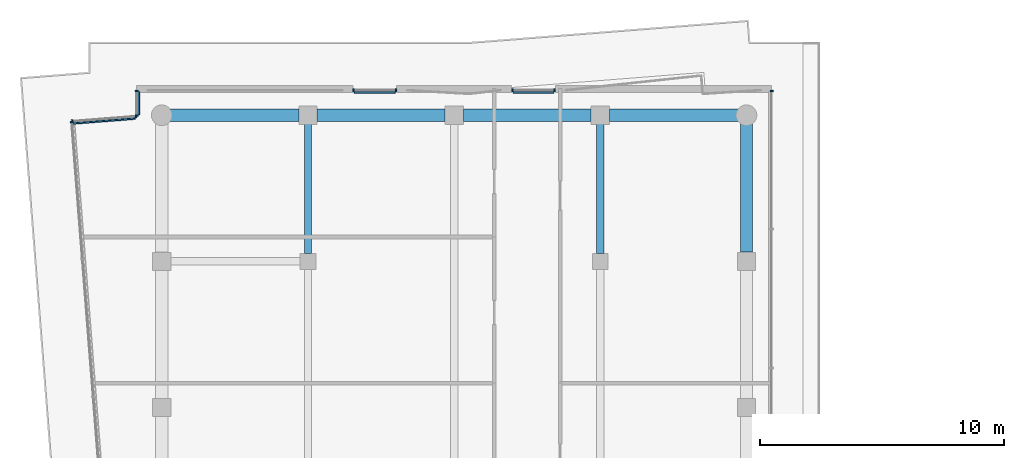
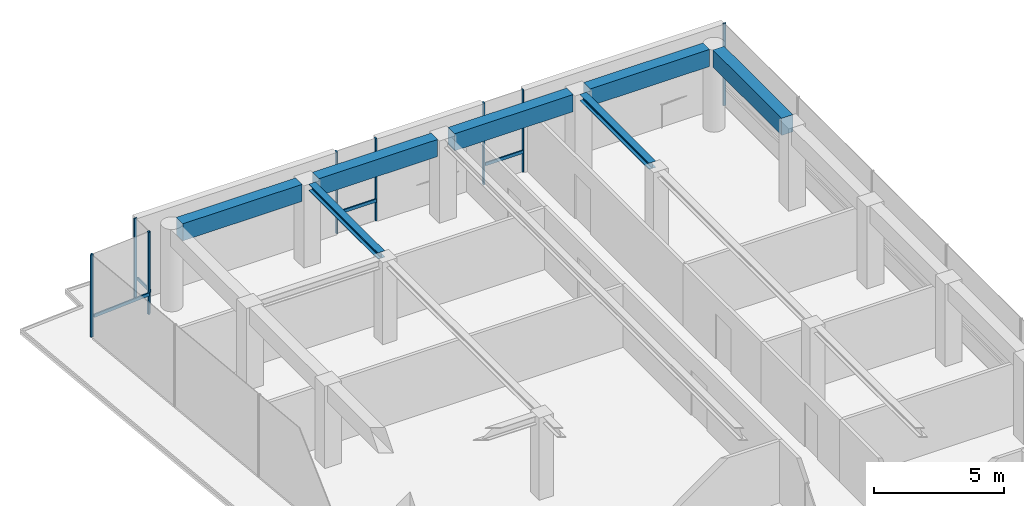
# One storey, part 17 of 23: 14 members, 7 beams, 6 elements without a shape of their own.
"""IFC4 building model written with IfcOpenShell, lengths in metres."""

from ifc_helpers import new_model, si_unit, direction, frame, origin, origin_2d, place, context, subcontext, project, spatial, rectangle, i_section, extrude, material, layer, layer_set, material_profile, profile_set, type_object, element, aggregate, save


model = new_model("IFC4")

# Units and contexts
model_context = context("Model", 3, precision=1e-05, world=origin(), true_north=direction((0.0, 1.0)))
body_context = subcontext(model_context, "Body", "Model", "MODEL_VIEW")
ifc_project = project(units=[si_unit("LENGTHUNIT", "METRE"), si_unit("AREAUNIT", "SQUARE_METRE"), si_unit("VOLUMEUNIT", "CUBIC_METRE"), si_unit("PLANEANGLEUNIT", "RADIAN"), si_unit("MASSUNIT", "GRAM", prefix="KILO")], contexts=[model_context])

# Site, building, storey
site_placement = place(None, origin())
site = spatial("IfcSite", under=ifc_project, at=site_placement, CompositionType="ELEMENT")
building_placement = place(site_placement, origin())
building = spatial("IfcBuilding", under=site, at=building_placement, Name="Welwitschia Terrace Campus", CompositionType="ELEMENT")
storey_placement = place(building_placement, frame((0.0, 0.0, 306.199951171875)))
storey = spatial("IfcBuildingStorey", under=building, at=storey_placement, Name="L68", CompositionType="ELEMENT", Elevation=306.199951171875)

# Beams
ifc_material_1 = material(Name="Steel S355", Category="steel")
ifc_material_profile_1 = material_profile(ifc_material_1, i_section(OverallWidth=0.300048828125, OverallDepth=0.300048828125, WebThickness=0.010986328125, FlangeThickness=0.01904296875, FilletRadius=0.027099609375, at=origin_2d()))
ifc_profile_set_1 = profile_set([ifc_material_profile_1], Name="Steel S355")
beam_type_1 = type_object("IfcBeamType", Name="Interior girder HE 300 B", PredefinedType="BEAM", material=ifc_profile_set_1)
for number, where, z_axis, x_axis, name in (
    (1, (6.0, 56.325439453125, 3.699951171875), (0.0, 1.0, 0.0), (-1.0, 0.0, 0.0), "Girder GB6"),
    (2, (18.0, 56.325439453125, 3.699951171875), (0.0, 1.0, 0.0), (-1.0, 0.0, 0.0), "Girder GB6"),
):
    element("IfcBeam", number, at=place(storey_placement, frame(where, z_axis=z_axis, x_axis=x_axis)), inside=storey, type_object=beam_type_1, Name=name, PredefinedType="BEAM", context=body_context, shape_type="SweptSolid", body=[
        extrude(i_section(OverallWidth=0.300048828125, OverallDepth=0.300048828125, WebThickness=0.010986328125, FlangeThickness=0.01904296875, FilletRadius=0.027099609375, at=origin_2d()), origin(), (0.0, 0.0, 1.0), 5.30908203125),
    ])

# Curtain wall, member
ifc_material_2 = material(Name="Bronze anodised aluminium", Category="aluminium")
ifc_layer = layer(ifc_material_2, 0.1201171875)
ifc_layer_set = layer_set([ifc_layer], Name="Bronze anodised aluminium")
curtain_wall_type = type_object("IfcCurtainWallType", Name="Curtain wall CW2 tower 6000", PredefinedType="NOTDEFINED", material=ifc_layer_set)
curtain_wall_1_placement = place(storey_placement, origin())
curtain_wall_1 = element("IfcCurtainWall", 3, at=curtain_wall_1_placement, inside=storey, type_object=curtain_wall_type, Name="CW L68.7.0", PredefinedType="NOTDEFINED")
ifc_material_3 = material(Name="Bronze anodised aluminium", Category="aluminium")
ifc_material_profile_2 = material_profile(ifc_material_3, rectangle(XDim=0.1201171875, YDim=0.06005859375, at=origin_2d()))
ifc_profile_set_2 = profile_set([ifc_material_profile_2], Name="Bronze anodised aluminium")
member_type_1 = type_object("IfcMemberType", Name="Mullion 60x120", PredefinedType="MULLION", material=ifc_profile_set_2)
member_1_placement = place(storey_placement, frame((25.030029296875, 63.0, 0.0), z_axis=(0.0, 0.0, 1.0), x_axis=(-1.0, 0.0, 0.0)))
member_1 = element("IfcMember", 4, at=member_1_placement, type_object=member_type_1, Name="Mullion L68.7.0.6", PredefinedType="MULLION", context=body_context, shape_type="SweptSolid", body=[
    extrude(rectangle(XDim=0.1201171875, YDim=0.06005859375, at=origin_2d()), origin(), (0.0, 0.0, 1.0), 3.85009765625),
])
aggregate(curtain_wall_1, [member_1])

# Curtain wall, members
curtain_wall_2_placement = place(storey_placement, origin())
curtain_wall_2 = element("IfcCurtainWall", 5, at=curtain_wall_2_placement, inside=storey, type_object=curtain_wall_type, Name="CW L68.8.S0", PredefinedType="NOTDEFINED")
member_2_placement = place(storey_placement, frame((16.12744140625, 63.030029296875, 0.0), z_axis=(0.0, 0.0, 1.0), x_axis=(0.0, -1.0, 0.0)))
member_2 = element("IfcMember", 6, at=member_2_placement, type_object=member_type_1, Name="Mullion L68.8.S0.0", PredefinedType="MULLION", context=body_context, shape_type="SweptSolid", body=[
    extrude(rectangle(XDim=0.1201171875, YDim=0.06005859375, at=origin_2d()), origin(), (0.0, 0.0, 1.0), 3.85009765625),
])
member_3_placement = place(storey_placement, frame((14.387451171875, 63.030029296875, 0.0), z_axis=(0.0, 0.0, 1.0), x_axis=(0.0, -1.0, 0.0)))
member_3 = element("IfcMember", 7, at=member_3_placement, type_object=member_type_1, Name="Mullion L68.8.S0.1", PredefinedType="MULLION", context=body_context, shape_type="SweptSolid", body=[
    extrude(rectangle(XDim=0.1201171875, YDim=0.06005859375, at=origin_2d()), origin(), (0.0, 0.0, 1.0), 3.85009765625),
])

curtain_wall_3_placement = place(storey_placement, origin())
curtain_wall_3 = element("IfcCurtainWall", 8, at=curtain_wall_3_placement, inside=storey, type_object=curtain_wall_type, Name="CW L68.8.S1", PredefinedType="NOTDEFINED")
member_4_placement = place(storey_placement, frame((9.612548828125, 63.030029296875, 0.0), z_axis=(0.0, 0.0, 1.0), x_axis=(0.0, -1.0, 0.0)))
member_4 = element("IfcMember", 9, at=member_4_placement, type_object=member_type_1, Name="Mullion L68.8.S1.0", PredefinedType="MULLION", context=body_context, shape_type="SweptSolid", body=[
    extrude(rectangle(XDim=0.1201171875, YDim=0.06005859375, at=origin_2d()), origin(), (0.0, 0.0, 1.0), 3.85009765625),
])
member_5_placement = place(storey_placement, frame((7.87255859375, 63.030029296875, 0.0), z_axis=(0.0, 0.0, 1.0), x_axis=(0.0, -1.0, 0.0)))
member_5 = element("IfcMember", 10, at=member_5_placement, type_object=member_type_1, Name="Mullion L68.8.S1.1", PredefinedType="MULLION", context=body_context, shape_type="SweptSolid", body=[
    extrude(rectangle(XDim=0.1201171875, YDim=0.06005859375, at=origin_2d()), origin(), (0.0, 0.0, 1.0), 3.85009765625),
])

curtain_wall_4_placement = place(storey_placement, origin())
curtain_wall_4 = element("IfcCurtainWall", 11, at=curtain_wall_4_placement, inside=storey, type_object=curtain_wall_type, Name="CW L68.9.0", PredefinedType="NOTDEFINED")
member_6_placement = place(storey_placement, frame((-1.030029296875, 63.0, 0.0), z_axis=(0.0, 0.0, 1.0), x_axis=(1.0, 0.0, 0.0)))
member_6 = element("IfcMember", 12, at=member_6_placement, type_object=member_type_1, Name="Mullion L68.9.0.0", PredefinedType="MULLION", context=body_context, shape_type="SweptSolid", body=[
    extrude(rectangle(XDim=0.1201171875, YDim=0.06005859375, at=origin_2d()), origin(), (0.0, 0.0, 1.0), 3.85009765625),
])
member_7_placement = place(storey_placement, frame((-1.030029296875, 61.986328125, 0.0), z_axis=(0.0, 0.0, 1.0), x_axis=(1.0, 0.0, 0.0)))
member_7 = element("IfcMember", 13, at=member_7_placement, type_object=member_type_1, Name="Mullion L68.9.0.1", PredefinedType="MULLION", context=body_context, shape_type="SweptSolid", body=[
    extrude(rectangle(XDim=0.1201171875, YDim=0.06005859375, at=origin_2d()), origin(), (0.0, 0.0, 1.0), 3.85009765625),
])

curtain_wall_5_placement = place(storey_placement, origin())
curtain_wall_5 = element("IfcCurtainWall", 14, at=curtain_wall_5_placement, inside=storey, type_object=curtain_wall_type, Name="CW L68.10.0", PredefinedType="NOTDEFINED")
member_8_placement = place(storey_placement, frame((-1.059814453125, 61.9541015625, 0.0), z_axis=(0.0, 0.0, 1.0), x_axis=(0.078459095728, -0.996917333733, 0.0)))
member_8 = element("IfcMember", 15, at=member_8_placement, type_object=member_type_1, Name="Mullion L68.10.0.0", PredefinedType="MULLION", context=body_context, shape_type="SweptSolid", body=[
    extrude(rectangle(XDim=0.1201171875, YDim=0.06005859375, at=origin_2d()), origin(), (0.0, 0.0, 1.0), 3.85009765625),
])
member_9_placement = place(storey_placement, frame((-3.671875, 61.74853515625, 0.0), z_axis=(0.0, 0.0, 1.0), x_axis=(0.078459095728, -0.996917333733, 0.0)))
member_9 = element("IfcMember", 16, at=member_9_placement, type_object=member_type_1, Name="Mullion L68.10.0.1", PredefinedType="MULLION", context=body_context, shape_type="SweptSolid", body=[
    extrude(rectangle(XDim=0.1201171875, YDim=0.06005859375, at=origin_2d()), origin(), (0.0, 0.0, 1.0), 3.85009765625),
])

# Curtain wall, member
curtain_wall_6_placement = place(storey_placement, origin())
curtain_wall_6 = element("IfcCurtainWall", 17, at=curtain_wall_6_placement, inside=storey, type_object=curtain_wall_type, Name="CW L68.11.0", PredefinedType="NOTDEFINED")
member_10_placement = place(storey_placement, frame((-3.699462890625, 61.716064453125, 0.0), z_axis=(0.0, 0.0, 1.0), x_axis=(0.996917333733, 0.078459095728, 0.0)))
member_10 = element("IfcMember", 18, at=member_10_placement, type_object=member_type_1, Name="Mullion L68.11.0.0", PredefinedType="MULLION", context=body_context, shape_type="SweptSolid", body=[
    extrude(rectangle(XDim=0.1201171875, YDim=0.06005859375, at=origin_2d()), origin(), (0.0, 0.0, 1.0), 3.85009765625),
])
aggregate(curtain_wall_6, [member_10])

# Beams
ifc_material_4 = material(Name="Concrete C50/60", Category="concrete")
ifc_material_profile_3 = material_profile(ifc_material_4, rectangle(XDim=0.5, YDim=0.800048828125, at=origin_2d()))
ifc_profile_set_3 = profile_set([ifc_material_profile_3], Name="Concrete C50/60")
beam_type_2 = type_object("IfcBeamType", Name="Ring spandrel 500x800", PredefinedType="SPANDREL", material=ifc_profile_set_3)
for number, where, z_axis, x_axis, name in (
    (19, (24.0, 56.37548828125, 3.449951171875), (0.0, 1.0, 0.0), (-1.0, 0.0, 0.0), "Spandrel SP4"),
    (20, (23.655517578125, 62.0, 3.449951171875), (-1.0, 0.0, 0.0), (0.0, -1.0, 0.0), "Spandrel SP4"),
):
    element("IfcBeam", number, at=place(storey_placement, frame(where, z_axis=z_axis, x_axis=x_axis)), inside=storey, type_object=beam_type_2, Name=name, PredefinedType="SPANDREL", context=body_context, shape_type="SweptSolid", body=[
        extrude(rectangle(XDim=0.5, YDim=0.800048828125, at=origin_2d()), origin(), (0.0, 0.0, 1.0), 5.280029296875),
    ])
for number, where, z_axis, x_axis, name in (
    (21, (17.62451171875, 62.0, 3.449951171875), (-1.0, 0.0, 0.0), (0.0, -1.0, 0.0), "Spandrel SP4"),
    (22, (11.62451171875, 62.0, 3.449951171875), (-1.0, 0.0, 0.0), (0.0, -1.0, 0.0), "Spandrel SP4"),
):
    element("IfcBeam", number, at=place(storey_placement, frame(where, z_axis=z_axis, x_axis=x_axis)), inside=storey, type_object=beam_type_2, Name=name, PredefinedType="SPANDREL", context=body_context, shape_type="SweptSolid", body=[
        extrude(rectangle(XDim=0.5, YDim=0.800048828125, at=origin_2d()), origin(), (0.0, 0.0, 1.0), 5.2490234375),
    ])
beam_placement = place(storey_placement, frame((5.62451171875, 62.0, 3.449951171875), z_axis=(-1.0, 0.0, 0.0), x_axis=(0.0, -1.0, 0.0)))
element("IfcBeam", 23, at=beam_placement, inside=storey, type_object=beam_type_2, Name="Spandrel SP4", PredefinedType="SPANDREL", context=body_context, shape_type="SweptSolid", body=[
    extrude(rectangle(XDim=0.5, YDim=0.800048828125, at=origin_2d()), origin(), (0.0, 0.0, 1.0), 5.280029296875),
])

# Member
ifc_material_5 = material(Name="Bronze anodised aluminium", Category="aluminium")
ifc_material_profile_4 = material_profile(ifc_material_5, rectangle(XDim=0.06005859375, YDim=0.14990234375, at=origin_2d()))
ifc_profile_set_4 = profile_set([ifc_material_profile_4], Name="Bronze anodised aluminium")
member_type_2 = type_object("IfcMemberType", Name="Transom 60x150", PredefinedType="USERDEFINED", material=ifc_profile_set_4)
member_11_placement = place(storey_placement, frame((16.097412109375, 62.93994140625, 1.0), z_axis=(-1.0, 0.0, 0.0), x_axis=(0.0, -1.0, 0.0)))
member_11 = element("IfcMember", 24, at=member_11_placement, type_object=member_type_2, Name="Transom L68.8.S0", ObjectType="TRANSOM", PredefinedType="USERDEFINED", context=body_context, shape_type="SweptSolid", body=[
    extrude(rectangle(XDim=0.06005859375, YDim=0.14990234375, at=origin_2d()), origin(), (0.0, 0.0, 1.0), 1.679931640625),
])

aggregate(curtain_wall_2, [member_2, member_3, member_11])

member_12_placement = place(storey_placement, frame((9.58251953125, 62.93994140625, 1.0), z_axis=(-1.0, 0.0, 0.0), x_axis=(0.0, -1.0, 0.0)))
member_12 = element("IfcMember", 25, at=member_12_placement, type_object=member_type_2, Name="Transom L68.8.S1", ObjectType="TRANSOM", PredefinedType="USERDEFINED", context=body_context, shape_type="SweptSolid", body=[
    extrude(rectangle(XDim=0.06005859375, YDim=0.14990234375, at=origin_2d()), origin(), (0.0, 0.0, 1.0), 1.679931640625),
])

aggregate(curtain_wall_3, [member_4, member_5, member_12])

member_13_placement = place(storey_placement, frame((-0.93994140625, 62.969970703125, 1.0), z_axis=(0.0, -1.0, 0.0), x_axis=(1.0, 0.0, 0.0)))
member_13 = element("IfcMember", 26, at=member_13_placement, type_object=member_type_2, Name="Transom L68.9.0", ObjectType="TRANSOM", PredefinedType="USERDEFINED", context=body_context, shape_type="SweptSolid", body=[
    extrude(rectangle(XDim=0.06005859375, YDim=0.14990234375, at=origin_2d()), origin(), (0.0, 0.0, 1.0), 0.95361328125),
])

aggregate(curtain_wall_4, [member_6, member_7, member_13])

member_14_placement = place(storey_placement, frame((-1.082763671875, 61.86181640625, 1.0), z_axis=(-0.996922321836, -0.078395690094, 0.0), x_axis=(0.078395690094, -0.996922321836, 0.0)))
member_14 = element("IfcMember", 27, at=member_14_placement, type_object=member_type_2, Name="Transom L68.10.0", ObjectType="TRANSOM", PredefinedType="USERDEFINED", context=body_context, shape_type="SweptSolid", body=[
    extrude(rectangle(XDim=0.06005859375, YDim=0.14990234375, at=origin_2d()), origin(), (0.0, 0.0, 1.0), 2.559814453125),
])

aggregate(curtain_wall_5, [member_8, member_9, member_14])

save(model, "model.ifc")
